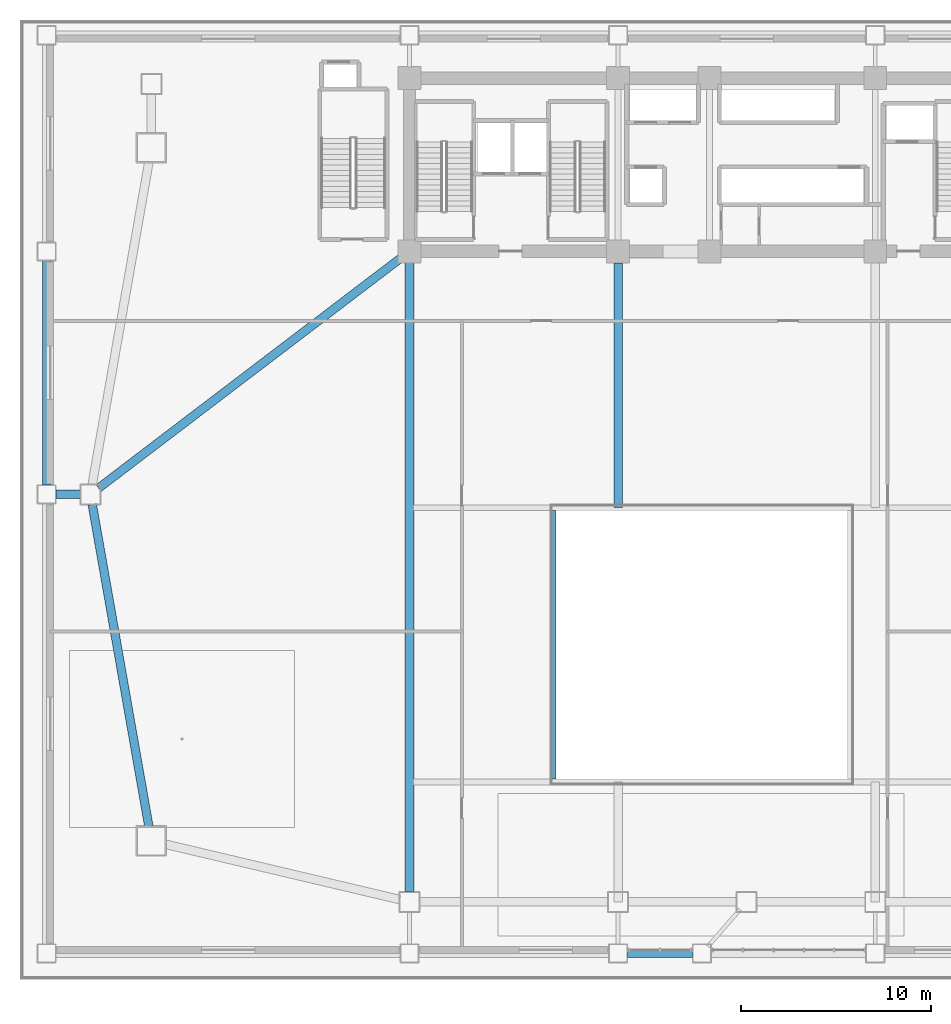
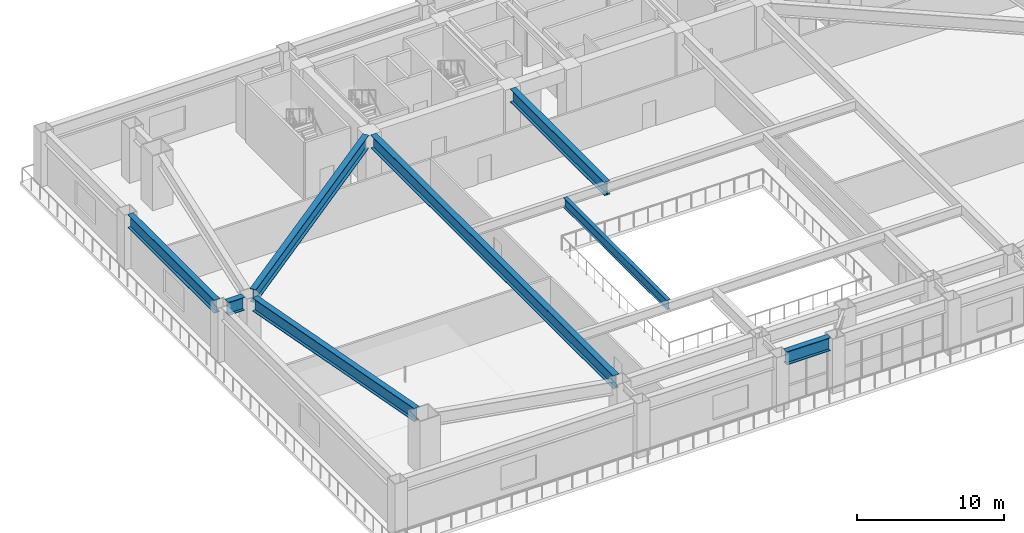
# One storey, part 3 of 14: 8 beams.
"""IFC4 building model written with IfcOpenShell, lengths in metres."""

import ifcopenshell
import ifcopenshell.guid

model = None  # the IFC model being written
_history = None  # IfcOwnerHistory: only IFC2X3 demands one
_inside = {}  # id of a spatial element -> (the spatial element, [elements in it])
_under = {}  # id of a project, library or spatial element -> (it, [spatial elements below it])
_declared = {}  # id of a project -> (the project, [libraries it declares])
_typed = {}  # id of a type object -> (the type object, [elements of that type])
_made_of = {}  # id of a material, layer set ... -> (it, [elements and type objects made of it])


def new_model(schema):
    """Start an empty IFC model of exactly this schema.

    Asked for "IFC4X3", IfcOpenShell would pick the latest addendum, in which some entities
    have other attributes; the version numbers below select the first issue.
    IFC2X3 requires an IfcOwnerHistory on every rooted entity: one is made here for all.
    """
    global model, _history
    if schema == "IFC4X3":
        model = ifcopenshell.file(schema_version=(4, 3, 0, 0))
    else:
        model = ifcopenshell.file(schema=schema)
    _inside.clear()
    _under.clear()
    _declared.clear()
    _typed.clear()
    _made_of.clear()
    _history = None
    if model.schema == "IFC2X3":
        org = make("IfcOrganization", Name="unknown")
        user = make(
            "IfcPersonAndOrganization",
            ThePerson=make("IfcPerson", FamilyName="unknown"),
            TheOrganization=org,
        )
        app = make(
            "IfcApplication",
            ApplicationDeveloper=org,
            Version="unknown",
            ApplicationFullName="unknown",
            ApplicationIdentifier="unknown",
        )
        _history = make(
            "IfcOwnerHistory",
            OwningUser=user,
            OwningApplication=app,
            ChangeAction="ADDED",
            CreationDate=0,
        )
    return model


def make(cls, **values):
    """One entity of the class cls with the attributes given. An attribute that is None is left unset."""
    return model.create_entity(
        cls, **{name: value for name, value in values.items() if value is not None}
    )


def rooted(cls, **values):
    """An entity with a GlobalId (a new one), such as an element, a storey or a relation."""
    return make(cls, GlobalId=ifcopenshell.guid.new(), OwnerHistory=_history, **values)


def si_unit(unit_type, name, prefix=None):
    """IfcSIUnit, for example si_unit("LENGTHUNIT", "METRE", prefix="MILLI")."""
    return make("IfcSIUnit", UnitType=unit_type, Prefix=prefix, Name=name)


def assignment(units):
    """IfcUnitAssignment: the units of a project."""
    return None if units is None else make("IfcUnitAssignment", Units=units)


def point(xyz):
    """IfcCartesianPoint."""
    return None if xyz is None else make("IfcCartesianPoint", Coordinates=xyz)


def direction(xyz):
    """IfcDirection."""
    return None if xyz is None else make("IfcDirection", DirectionRatios=xyz)


def frame(location, z_axis=None, x_axis=None):
    """IfcAxis2Placement3D, a coordinate frame: its origin and axes. An axis left out is left unset."""
    return make(
        "IfcAxis2Placement3D",
        Location=point(location),
        Axis=direction(z_axis),
        RefDirection=direction(x_axis),
    )


def frame_2d(location, x_axis=None):
    """IfcAxis2Placement2D, a coordinate frame in the plane: its origin and x axis."""
    return make(
        "IfcAxis2Placement2D", Location=point(location), RefDirection=direction(x_axis)
    )


def origin():
    """The frame at (0, 0, 0) with its axes left unset."""
    return frame((0.0, 0.0, 0.0))


def origin_2d():
    """The frame at (0, 0) in the plane with its x axis left unset."""
    return frame_2d((0.0, 0.0))


def place(relative_to, where):
    """IfcLocalPlacement: puts the frame where relative to a parent placement (None: the world)."""
    return make(
        "IfcLocalPlacement", PlacementRelTo=relative_to, RelativePlacement=where
    )


def context(
    kind, dimensions, precision=None, world=None, true_north=None, identifier=None
):
    """IfcGeometricRepresentationContext, for example the 3D "Model" context."""
    return make(
        "IfcGeometricRepresentationContext",
        ContextIdentifier=identifier,
        ContextType=kind,
        CoordinateSpaceDimension=dimensions,
        Precision=precision,
        WorldCoordinateSystem=world,
        TrueNorth=true_north,
    )


def subcontext(parent, identifier, kind, view, scale=None):
    """IfcGeometricRepresentationSubContext, for example "Body" below "Model"."""
    return make(
        "IfcGeometricRepresentationSubContext",
        ContextIdentifier=identifier,
        ContextType=kind,
        ParentContext=parent,
        TargetScale=scale,
        TargetView=view,
    )


def project(units=None, contexts=None):
    """IfcProject with its units and contexts."""
    return rooted(
        "IfcProject",
        Name="project",
        RepresentationContexts=contexts,
        UnitsInContext=assignment(units),
    )


def spatial(cls, under=None, at=None, **own):
    """A site, building, storey or space (cls), placed at a placement, below another one or the project."""
    s = rooted(cls, ObjectPlacement=at, **own)
    if under is not None:
        _under.setdefault(under.id(), (under, []))[1].append(s)
    return s


def profile(cls, at=None, kind="AREA", **sizes):
    """A parametric profile (cls). Its sizes go by their IFC names, for example OverallWidth=200.0."""
    return make(cls, ProfileType=kind, Position=at, **sizes)


def i_section(**sizes):
    """IfcIShapeProfileDef."""
    return profile("IfcIShapeProfileDef", **sizes)


def extrude(swept, where, along, depth):
    """IfcExtrudedAreaSolid: the profile swept, set in the frame where, extruded along a direction by depth."""
    return make(
        "IfcExtrudedAreaSolid",
        SweptArea=swept,
        Position=where,
        ExtrudedDirection=direction(along),
        Depth=depth,
    )


def shape(context_of_items, identifier, shape_type, items):
    """IfcShapeRepresentation: the items that make up one representation, for example the "Body"."""
    return make(
        "IfcShapeRepresentation",
        ContextOfItems=context_of_items,
        RepresentationIdentifier=identifier,
        RepresentationType=shape_type,
        Items=items,
    )


def source(mapping_origin, context_of_items, identifier, shape_type, items):
    """IfcRepresentationMap: a shape defined once, which mapped items show again and again."""
    return make(
        "IfcRepresentationMap",
        MappingOrigin=mapping_origin,
        MappedRepresentation=shape(context_of_items, identifier, shape_type, items),
    )


def transform(
    local_origin,
    x_axis=None,
    y_axis=None,
    z_axis=None,
    scale=None,
    scale2=None,
    scale3=None,
    uniform=True,
):
    """IfcCartesianTransformationOperator3D, or its non-uniform kind. x_axis, y_axis, z_axis: its Axis1, 2, 3."""
    if uniform:
        return make(
            "IfcCartesianTransformationOperator3D",
            Axis1=direction(x_axis),
            Axis2=direction(y_axis),
            LocalOrigin=point(local_origin),
            Scale=scale,
            Axis3=direction(z_axis),
        )
    return make(
        "IfcCartesianTransformationOperator3DnonUniform",
        Axis1=direction(x_axis),
        Axis2=direction(y_axis),
        LocalOrigin=point(local_origin),
        Scale=scale,
        Axis3=direction(z_axis),
        Scale2=scale2,
        Scale3=scale3,
    )


def mapped(mapping_source, mapping_target):
    """IfcMappedItem: shows the shape of a source again, moved by a transform."""
    return make(
        "IfcMappedItem", MappingSource=mapping_source, MappingTarget=mapping_target
    )


def material(Name=None, Category=None):
    """IfcMaterial."""
    return make("IfcMaterial", Name=Name, Category=Category)


def material_profile(
    of_material, cross_section, Name=None, Category=None, Priority=None
):
    """IfcMaterialProfile: a cross section and its material."""
    return make(
        "IfcMaterialProfile",
        Name=Name,
        Material=of_material,
        Profile=cross_section,
        Priority=Priority,
        Category=Category,
    )


def profile_set(profiles, Name=None, composite=None):
    """IfcMaterialProfileSet."""
    return make(
        "IfcMaterialProfileSet",
        Name=Name,
        MaterialProfiles=profiles,
        CompositeProfile=composite,
    )


def made_of(thing, what):
    """Note that an element or type object is made of a material, layer set ...; save() writes the relation."""
    if what is not None:
        _made_of.setdefault(what.id(), (what, []))[1].append(thing)
    return thing


def type_object(cls, material=None, **own):
    """A type object (cls), such as IfcWallType, which elements share."""
    return made_of(rooted(cls, **own), material)


def element(
    cls,
    number,
    at=None,
    inside=None,
    cuts=None,
    type_object=None,
    material=None,
    context=None,
    identifier="Body",
    shape_type=None,
    held_by="IfcProductDefinitionShape",
    body=None,
    shapes=None,
    **own,
):
    """One element of the class cls, such as IfcWall. Its Tag is "e" and its number.

    at: its placement. inside: the storey or other place that contains it. cuts: it is an
    opening in that element (IfcRelVoidsElement). A single representation is given by context,
    identifier, shape_type and body (its items); several are given by shapes. held_by: the class
    of the entity that holds the representations. save() writes the other relations.
    """
    e = rooted(cls, Tag="e%d" % number, ObjectPlacement=at, **own)
    if body is not None:
        shapes = [shape(context, identifier, shape_type, body)]
    if shapes is not None:
        e.Representation = make(held_by, Representations=shapes)
    if inside is not None:
        _inside.setdefault(inside.id(), (inside, []))[1].append(e)
    if cuts is not None:
        rooted(
            "IfcRelVoidsElement", RelatingBuildingElement=cuts, RelatedOpeningElement=e
        )
    if type_object is not None:
        _typed.setdefault(type_object.id(), (type_object, []))[1].append(e)
    return made_of(e, material)


def aggregate(whole, parts):
    """IfcRelAggregates: a whole, such as a stair, and the parts it consists of."""
    return rooted("IfcRelAggregates", RelatingObject=whole, RelatedObjects=parts)


def save(model, path):
    """Write the relations noted so far, then the file.

    IfcRelAggregates (storeys below a building ...), IfcRelContainedInSpatialStructure (elements
    in a storey), IfcRelDefinesByType, IfcRelAssociatesMaterial and IfcRelDeclares: one each for
    every whole, place, type object, material and project.
    """
    for whole, parts in _under.values():
        aggregate(whole, parts)
    for where, things in _inside.values():
        rooted(
            "IfcRelContainedInSpatialStructure",
            RelatedElements=things,
            RelatingStructure=where,
        )
    for kind, things in _typed.values():
        rooted("IfcRelDefinesByType", RelatedObjects=things, RelatingType=kind)
    for what, things in _made_of.values():
        rooted("IfcRelAssociatesMaterial", RelatedObjects=things, RelatingMaterial=what)
    for by, libraries in _declared.values():
        rooted("IfcRelDeclares", RelatingContext=by, RelatedDefinitions=libraries)
    model.write(path)


model = new_model("IFC4")

# Units and contexts
model_context = context("Model", 3, precision=1e-05, world=origin(), true_north=direction((0.0, 1.0)))
body_context = subcontext(model_context, "Body", "Model", "MODEL_VIEW")
ifc_project = project(units=[si_unit("LENGTHUNIT", "METRE"), si_unit("AREAUNIT", "SQUARE_METRE"), si_unit("VOLUMEUNIT", "CUBIC_METRE"), si_unit("PLANEANGLEUNIT", "RADIAN"), si_unit("MASSUNIT", "GRAM", prefix="KILO")], contexts=[model_context])

# Site, building, storey
site_placement = place(None, origin())
site = spatial("IfcSite", under=ifc_project, at=site_placement, CompositionType="ELEMENT")
building_placement = place(site_placement, origin())
building = spatial("IfcBuilding", under=site, at=building_placement, Name="Giltprow Tower", CompositionType="ELEMENT")
storey_placement = place(building_placement, frame((0.0, 0.0, 10.39990234375)))
storey = spatial("IfcBuildingStorey", under=building, at=storey_placement, Name="L03", CompositionType="ELEMENT", Elevation=10.39990234375)

# Beams
ifc_material_1 = material(Name="Structural steel Q420GJC", Category="steel")
ifc_material_profile_1 = material_profile(ifc_material_1, i_section(OverallWidth=0.449951171875, OverallDepth=1.10009765625, WebThickness=0.02587890625, FlangeThickness=0.0419921875, at=origin_2d()), Name="WH 1100x450x26x42")
ifc_profile_set_1 = profile_set([ifc_material_profile_1], Name="Structural steel Q420GJC")
beam_type_1 = type_object("IfcBeamType", Name="BM-GIRD-WH1100", PredefinedType="BEAM", material=ifc_profile_set_1)
shared_shape_1 = source(origin(), body_context, "Body", "SweptSolid", [
    extrude(i_section(OverallWidth=0.449951171875, OverallDepth=1.10009765625, WebThickness=0.02587890625, FlangeThickness=0.0419921875, at=origin_2d()), origin(), (0.0, 0.0, 1.0), 17.1591796875),
])
beam_1_placement = place(storey_placement, frame((3.193115234375, 24.173095703125, 3.989990234375), z_axis=(0.173139216532, -0.984897360997, 0.0), x_axis=(0.984897360997, 0.173139216532, 0.0)))
element("IfcBeam", 1, at=beam_1_placement, inside=storey, type_object=beam_type_1, Name="L03 Tower Base Ring Girder 12", PredefinedType="BEAM", context=body_context, shape_type="MappedRepresentation", body=[
    mapped(shared_shape_1, transform((0.0, 0.0, 0.0), x_axis=(1.0, 0.0, 0.0), y_axis=(0.0, 1.0, 0.0), z_axis=(0.0, 0.0, 1.0), scale=1.0)),
])
shared_shape_2 = source(origin(), body_context, "Body", "SweptSolid", [
    extrude(i_section(OverallWidth=0.449951171875, OverallDepth=1.10009765625, WebThickness=0.02587890625, FlangeThickness=0.0419921875, at=origin_2d()), origin(), (0.0, 0.0, 1.0), 33.030029296875),
])
beam_2_placement = place(storey_placement, frame((19.85009765625, 3.8349609375, 3.989990234375), z_axis=(0.0, 1.0, 0.0), x_axis=(-1.0, 0.0, 0.0)))
element("IfcBeam", 2, at=beam_2_placement, inside=storey, type_object=beam_type_1, Name="L03 Primary Podium Span Girder S1", PredefinedType="BEAM", context=body_context, shape_type="MappedRepresentation", body=[
    mapped(shared_shape_2, transform((0.0, 0.0, 0.0), x_axis=(1.0, 0.0, 0.0), y_axis=(0.0, 1.0, 0.0), z_axis=(0.0, 0.0, 1.0), scale=1.0)),
])
shared_shape_3 = source(origin(), body_context, "Body", "SweptSolid", [
    extrude(i_section(OverallWidth=0.449951171875, OverallDepth=1.10009765625, WebThickness=0.02587890625, FlangeThickness=0.0419921875, at=origin_2d()), origin(), (0.0, 0.0, 1.0), 19.930908203125),
])
beam_3_placement = place(storey_placement, frame((3.52587890625, 25.02392578125, 3.989990234375), z_axis=(0.795700739064, 0.605689965124, 0.0), x_axis=(-0.605689965124, 0.795700739064, 0.0)))
element("IfcBeam", 3, at=beam_3_placement, inside=storey, type_object=beam_type_1, Name="L03 West Tie 2", PredefinedType="BEAM", context=body_context, shape_type="MappedRepresentation", body=[
    mapped(shared_shape_3, transform((0.0, 0.0, 0.0), x_axis=(1.0, 0.0, 0.0), y_axis=(0.0, 1.0, 0.0), z_axis=(0.0, 0.0, 1.0), scale=1.0)),
])
shared_shape_4 = source(origin(), body_context, "Body", "SweptSolid", [
    extrude(i_section(OverallWidth=0.449951171875, OverallDepth=1.10009765625, WebThickness=0.02587890625, FlangeThickness=0.0419921875, at=origin_2d()), origin(), (0.0, 0.0, 1.0), 3.43017578125),
])
beam_4_placement = place(storey_placement, frame((31.284912109375, 0.60009765625, 3.989990234375), z_axis=(1.0, 0.0, 0.0), x_axis=(0.0, 1.0, 0.0)))
element("IfcBeam", 4, at=beam_4_placement, inside=storey, type_object=beam_type_1, Name="L03 Podium South Edge Girder", PredefinedType="BEAM", context=body_context, shape_type="MappedRepresentation", body=[
    mapped(shared_shape_4, transform((0.0, 0.0, 0.0), x_axis=(1.0, 0.0, 0.0), y_axis=(0.0, 1.0, 0.0), z_axis=(0.0, 0.0, 1.0), scale=1.0)),
])
shared_shape_5 = source(origin(), body_context, "Body", "SweptSolid", [
    extrude(i_section(OverallWidth=0.449951171875, OverallDepth=1.10009765625, WebThickness=0.02587890625, FlangeThickness=0.0419921875, at=origin_2d()), origin(), (0.0, 0.0, 1.0), 11.780029296875),
])
beam_5_placement = place(storey_placement, frame((0.800048828125, 25.18505859375, 3.989990234375), z_axis=(0.0, 1.0, 0.0), x_axis=(-1.0, 0.0, 0.0)))
element("IfcBeam", 5, at=beam_5_placement, inside=storey, type_object=beam_type_1, Name="L03 Podium Side Girder", PredefinedType="BEAM", context=body_context, shape_type="MappedRepresentation", body=[
    mapped(shared_shape_5, transform((0.0, 0.0, 0.0), x_axis=(1.0, 0.0, 0.0), y_axis=(0.0, 1.0, 0.0), z_axis=(0.0, 0.0, 1.0), scale=1.0)),
])
shared_shape_6 = source(origin(), body_context, "Body", "SweptSolid", [
    extrude(i_section(OverallWidth=0.449951171875, OverallDepth=1.10009765625, WebThickness=0.02587890625, FlangeThickness=0.0419921875, at=origin_2d()), origin(), (0.0, 0.0, 1.0), 12.85009765625),
])
beam_6_placement = place(storey_placement, frame((30.800048828125, 24.0, 3.989990234375), z_axis=(0.0, 1.0, 0.0), x_axis=(-1.0, 0.0, 0.0)))
element("IfcBeam", 6, at=beam_6_placement, inside=storey, type_object=beam_type_1, Name="L03 Atrium North Girder S2", PredefinedType="BEAM", context=body_context, shape_type="MappedRepresentation", body=[
    mapped(shared_shape_6, transform((0.0, 0.0, 0.0), x_axis=(1.0, 0.0, 0.0), y_axis=(0.0, 1.0, 0.0), z_axis=(0.0, 0.0, 1.0), scale=1.0)),
])
shared_shape_7 = source(origin(), body_context, "Body", "SweptSolid", [
    extrude(i_section(OverallWidth=0.449951171875, OverallDepth=1.10009765625, WebThickness=0.02587890625, FlangeThickness=0.0419921875, at=origin_2d()), origin(), (0.0, 0.0, 1.0), 1.280029296875),
])
beam_7_placement = place(storey_placement, frame((1.284912109375, 24.699951171875, 3.989990234375), z_axis=(1.0, 0.0, 0.0), x_axis=(0.0, 1.0, 0.0)))
element("IfcBeam", 7, at=beam_7_placement, inside=storey, type_object=beam_type_1, Name="L03 West Tie 1", PredefinedType="BEAM", context=body_context, shape_type="MappedRepresentation", body=[
    mapped(shared_shape_7, transform((0.0, 0.0, 0.0), x_axis=(1.0, 0.0, 0.0), y_axis=(0.0, 1.0, 0.0), z_axis=(0.0, 0.0, 1.0), scale=1.0)),
])
ifc_material_2 = material(Name="Structural steel Q355B", Category="steel")
ifc_material_profile_2 = material_profile(ifc_material_2, i_section(OverallWidth=0.300048828125, OverallDepth=0.800048828125, WebThickness=0.013916015625, FlangeThickness=0.02587890625, at=origin_2d()), Name="HN 800x300x14x26")
ifc_profile_set_2 = profile_set([ifc_material_profile_2], Name="Structural steel Q355B")
beam_type_2 = type_object("IfcBeamType", Name="BM-GIRD-HN800", PredefinedType="BEAM", material=ifc_profile_set_2)
shared_shape_8 = source(origin(), body_context, "Body", "SweptSolid", [
    extrude(i_section(OverallWidth=0.300048828125, OverallDepth=0.800048828125, WebThickness=0.013916015625, FlangeThickness=0.02587890625, at=origin_2d()), origin(), (0.0, 0.0, 1.0), 14.10009765625),
])
beam_8_placement = place(storey_placement, frame((27.39990234375, 9.75, 4.14013671875), z_axis=(0.0, 1.0, 0.0), x_axis=(-1.0, 0.0, 0.0)))
element("IfcBeam", 8, at=beam_8_placement, inside=storey, type_object=beam_type_2, Name="L03 Atrium Edge Girder W", PredefinedType="BEAM", context=body_context, shape_type="MappedRepresentation", body=[
    mapped(shared_shape_8, transform((0.0, 0.0, 0.0), x_axis=(1.0, 0.0, 0.0), y_axis=(0.0, 1.0, 0.0), z_axis=(0.0, 0.0, 1.0), scale=1.0)),
])

save(model, "model.ifc")
